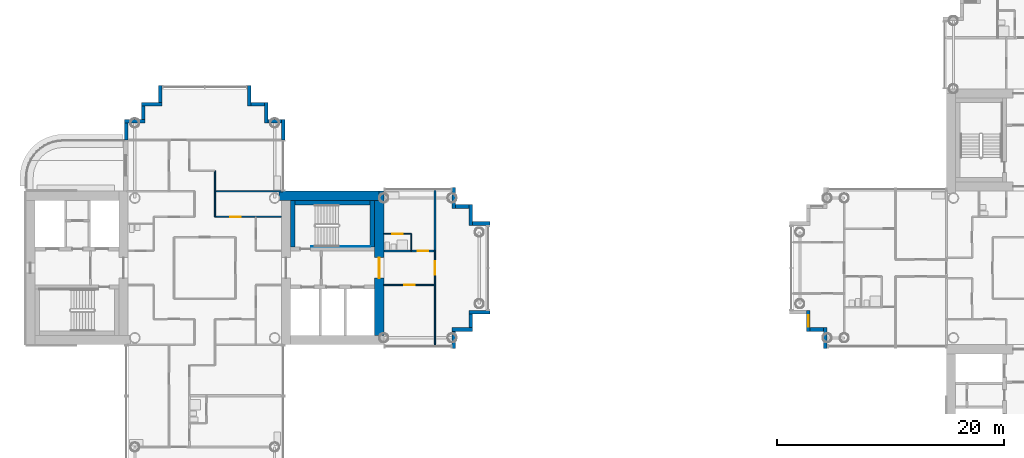
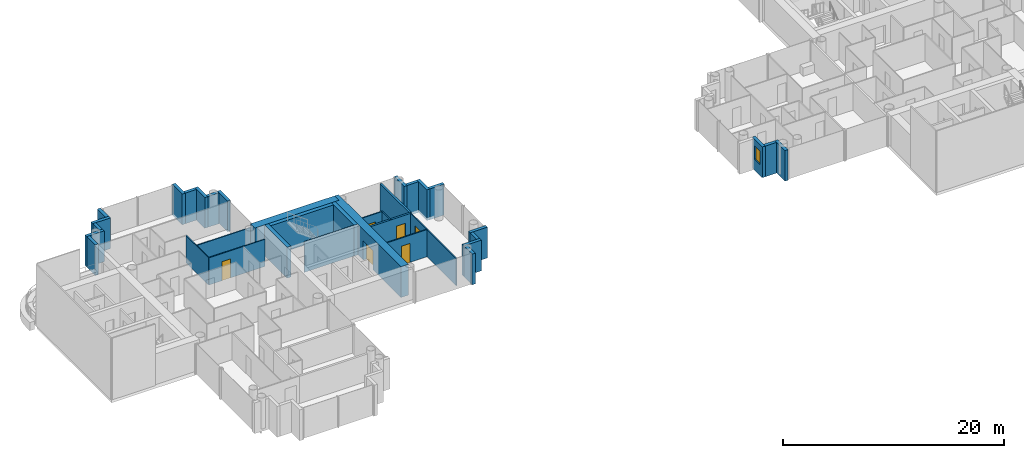
# One storey, part 9 of 20: 36 walls, 6 doors, 1 window, 7 openings.
"""IFC4 building model written with IfcOpenShell, lengths in metres."""

from ifc_helpers import new_model, si_unit, direction, frame, frame_2d, origin, place, context, subcontext, project, spatial, rectangle, extrude, material, layer, layer_set, type_object, element, fill, save


model = new_model("IFC4")

# Units and contexts
model_context = context("Model", 3, precision=1e-05, world=origin(), true_north=direction((0.0, 1.0)))
body_context = subcontext(model_context, "Body", "Model", "MODEL_VIEW")
ifc_project = project(units=[si_unit("LENGTHUNIT", "METRE"), si_unit("AREAUNIT", "SQUARE_METRE"), si_unit("VOLUMEUNIT", "CUBIC_METRE"), si_unit("PLANEANGLEUNIT", "RADIAN"), si_unit("MASSUNIT", "GRAM", prefix="KILO")], contexts=[model_context])

# Site, building, storey
site_placement = place(None, origin())
site = spatial("IfcSite", under=ifc_project, at=site_placement, CompositionType="ELEMENT")
building_placement = place(site_placement, origin())
building = spatial("IfcBuilding", under=site, at=building_placement, Name="Ipe Terrace Towers", CompositionType="ELEMENT")
storey_placement = place(building_placement, frame((0.0, 0.0, 154.10009765625)))
storey = spatial("IfcBuildingStorey", under=building, at=storey_placement, Name="L42", CompositionType="ELEMENT", Elevation=154.10009765625)

# Walls
ifc_material_1 = material(Name="Concrete C40/50 with buff precast cladding", Category="concrete")
ifc_layer_1 = layer(ifc_material_1, 0.320068359375)
ifc_layer_set_1 = layer_set([ifc_layer_1], Name="BUFF CLADDING WALL 320")
wall_type_1 = type_object("IfcWallType", Name="BUFF CLADDING WALL 320", PredefinedType="STANDARD", material=ifc_layer_set_1)
wall_1_placement = place(storey_placement, frame((-14.090087890625, -7.070068359375, -0.300048828125), z_axis=(0.0, 0.0, 1.0), x_axis=(0.0, 1.0, 0.0)))
element("IfcWall", 1, at=wall_1_placement, inside=storey, type_object=wall_type_1, Name="T1-W-L42-17a wall", PredefinedType="STANDARD", context=body_context, shape_type="SweptSolid", body=[
    extrude(rectangle(XDim=1.5, YDim=0.320068359375, at=frame_2d((0.75, 0.0))), origin(), (0.0, 0.0, 1.0), 3.39990234375),
])
wall_2_placement = place(storey_placement, frame((-14.25, -5.409912109375, -0.300048828125), z_axis=(0.0, 0.0, 1.0), x_axis=(1.0, 0.0, 0.0)))
element("IfcWall", 2, at=wall_2_placement, inside=storey, type_object=wall_type_1, Name="T1-W-L42-18a wall", PredefinedType="STANDARD", context=body_context, shape_type="SweptSolid", body=[
    extrude(rectangle(XDim=1.820068359375, YDim=0.320068359375, at=frame_2d((0.91015625, 0.0))), origin(), (0.0, 0.0, 1.0), 3.39990234375),
])
wall_3_placement = place(storey_placement, frame((-12.590087890625, -5.25, -0.300048828125), z_axis=(0.0, 0.0, 1.0), x_axis=(0.0, 1.0, 0.0)))
element("IfcWall", 3, at=wall_3_placement, inside=storey, type_object=wall_type_1, Name="T1-W-L42-19a wall", PredefinedType="STANDARD", context=body_context, shape_type="SweptSolid", body=[
    extrude(rectangle(XDim=1.179931640625, YDim=0.320068359375, at=frame_2d((0.58984375, 0.0))), origin(), (0.0, 0.0, 1.0), 3.39990234375),
])
wall_4_placement = place(storey_placement, frame((-12.75, -3.909912109375, -0.300048828125), z_axis=(0.0, 0.0, 1.0), x_axis=(1.0, 0.0, 0.0)))
element("IfcWall", 4, at=wall_4_placement, inside=storey, type_object=wall_type_1, Name="T1-W-L42-20a wall", PredefinedType="STANDARD", context=body_context, shape_type="SweptSolid", body=[
    extrude(rectangle(XDim=1.820068359375, YDim=0.320068359375, at=frame_2d((0.91015625, 0.0))), origin(), (0.0, 0.0, 1.0), 3.39990234375),
])
wall_5_placement = place(storey_placement, frame((-10.929931640625, 3.909912109375, -0.300048828125), z_axis=(0.0, 0.0, 1.0), x_axis=(-1.0, 0.0, 0.0)))
element("IfcWall", 5, at=wall_5_placement, inside=storey, type_object=wall_type_1, Name="T1-W-L42-22a wall", PredefinedType="STANDARD", context=body_context, shape_type="SweptSolid", body=[
    extrude(rectangle(XDim=1.5, YDim=0.320068359375, at=frame_2d((0.75, 0.0))), origin(), (0.0, 0.0, 1.0), 3.39990234375),
])
wall_6_placement = place(storey_placement, frame((-12.590087890625, 3.75, -0.300048828125), z_axis=(0.0, 0.0, 1.0), x_axis=(0.0, 1.0, 0.0)))
element("IfcWall", 6, at=wall_6_placement, inside=storey, type_object=wall_type_1, Name="T1-W-L42-23a wall", PredefinedType="STANDARD", context=body_context, shape_type="SweptSolid", body=[
    extrude(rectangle(XDim=1.820068359375, YDim=0.320068359375, at=frame_2d((0.91015625, 0.0))), origin(), (0.0, 0.0, 1.0), 3.39990234375),
])
wall_7_placement = place(storey_placement, frame((-12.75, 5.409912109375, -0.300048828125), z_axis=(0.0, 0.0, 1.0), x_axis=(-1.0, 0.0, 0.0)))
element("IfcWall", 7, at=wall_7_placement, inside=storey, type_object=wall_type_1, Name="T1-W-L42-24a wall", PredefinedType="STANDARD", context=body_context, shape_type="SweptSolid", body=[
    extrude(rectangle(XDim=1.179931640625, YDim=0.320068359375, at=frame_2d((0.58984375, 0.0))), origin(), (0.0, 0.0, 1.0), 3.39990234375),
])
for number, where, z_axis, x_axis, name in (
    (8, (-14.090087890625, 5.25, -0.300048828125), (0.0, 0.0, 1.0), (0.0, 1.0, 0.0), "T1-W-L42-25a wall"),
    (9, (-29.090087890625, 11.25, -0.300048828125), (0.0, 0.0, 1.0), (0.0, 1.0, 0.0), "T1-W-L42-29a wall"),
):
    element("IfcWall", number, at=place(storey_placement, frame(where, z_axis=z_axis, x_axis=x_axis)), inside=storey, type_object=wall_type_1, Name=name, PredefinedType="STANDARD", context=body_context, shape_type="SweptSolid", body=[
        extrude(rectangle(XDim=1.820068359375, YDim=0.320068359375, at=frame_2d((0.91015625, 0.0))), origin(), (0.0, 0.0, 1.0), 3.39990234375),
    ])
wall_8_placement = place(storey_placement, frame((-29.25, 12.909912109375, -0.300048828125), z_axis=(0.0, 0.0, 1.0), x_axis=(-1.0, 0.0, 0.0)))
element("IfcWall", 10, at=wall_8_placement, inside=storey, type_object=wall_type_1, Name="T1-W-L42-30a wall", PredefinedType="STANDARD", context=body_context, shape_type="SweptSolid", body=[
    extrude(rectangle(XDim=1.179931640625, YDim=0.320068359375, at=frame_2d((0.58984375, 0.0))), origin(), (0.0, 0.0, 1.0), 3.39990234375),
])
wall_9_placement = place(storey_placement, frame((-30.590087890625, 12.75, -0.300048828125), z_axis=(0.0, 0.0, 1.0), x_axis=(0.0, 1.0, 0.0)))
element("IfcWall", 11, at=wall_9_placement, inside=storey, type_object=wall_type_1, Name="T1-W-L42-31a wall", PredefinedType="STANDARD", context=body_context, shape_type="SweptSolid", body=[
    extrude(rectangle(XDim=1.820068359375, YDim=0.320068359375, at=frame_2d((0.91015625, 0.0))), origin(), (0.0, 0.0, 1.0), 3.39990234375),
])
wall_10_placement = place(storey_placement, frame((-30.75, 14.409912109375, -0.300048828125), z_axis=(0.0, 0.0, 1.0), x_axis=(-1.0, 0.0, 0.0)))
element("IfcWall", 12, at=wall_10_placement, inside=storey, type_object=wall_type_1, Name="T1-W-L42-32a wall", PredefinedType="STANDARD", context=body_context, shape_type="SweptSolid", body=[
    extrude(rectangle(XDim=1.179931640625, YDim=0.320068359375, at=frame_2d((0.58984375, 0.0))), origin(), (0.0, 0.0, 1.0), 3.39990234375),
])
wall_11_placement = place(storey_placement, frame((-32.090087890625, 14.25, -0.300048828125), z_axis=(0.0, 0.0, 1.0), x_axis=(0.0, 1.0, 0.0)))
element("IfcWall", 13, at=wall_11_placement, inside=storey, type_object=wall_type_1, Name="T1-W-L42-33a wall", PredefinedType="STANDARD", context=body_context, shape_type="SweptSolid", body=[
    extrude(rectangle(XDim=1.820068359375, YDim=0.320068359375, at=frame_2d((0.91015625, 0.0))), origin(), (0.0, 0.0, 1.0), 3.39990234375),
])
wall_12_placement = place(storey_placement, frame((-39.909912109375, 16.070068359375, -0.300048828125), z_axis=(0.0, 0.0, 1.0), x_axis=(0.0, -1.0, 0.0)))
element("IfcWall", 14, at=wall_12_placement, inside=storey, type_object=wall_type_1, Name="T1-W-L42-35a wall", PredefinedType="STANDARD", context=body_context, shape_type="SweptSolid", body=[
    extrude(rectangle(XDim=1.5, YDim=0.320068359375, at=frame_2d((0.75, 0.0))), origin(), (0.0, 0.0, 1.0), 3.39990234375),
])
wall_13_placement = place(storey_placement, frame((-39.75, 14.409912109375, -0.300048828125), z_axis=(0.0, 0.0, 1.0), x_axis=(-1.0, 0.0, 0.0)))
element("IfcWall", 15, at=wall_13_placement, inside=storey, type_object=wall_type_1, Name="T1-W-L42-36a wall", PredefinedType="STANDARD", context=body_context, shape_type="SweptSolid", body=[
    extrude(rectangle(XDim=1.820068359375, YDim=0.320068359375, at=frame_2d((0.91015625, 0.0))), origin(), (0.0, 0.0, 1.0), 3.39990234375),
])
wall_14_placement = place(storey_placement, frame((-41.409912109375, 14.25, -0.300048828125), z_axis=(0.0, 0.0, 1.0), x_axis=(0.0, -1.0, 0.0)))
element("IfcWall", 16, at=wall_14_placement, inside=storey, type_object=wall_type_1, Name="T1-W-L42-37a wall", PredefinedType="STANDARD", context=body_context, shape_type="SweptSolid", body=[
    extrude(rectangle(XDim=1.179931640625, YDim=0.320068359375, at=frame_2d((0.58984375, 0.0))), origin(), (0.0, 0.0, 1.0), 3.39990234375),
])
wall_15_placement = place(storey_placement, frame((-41.25, 12.909912109375, -0.300048828125), z_axis=(0.0, 0.0, 1.0), x_axis=(-1.0, 0.0, 0.0)))
element("IfcWall", 17, at=wall_15_placement, inside=storey, type_object=wall_type_1, Name="T1-W-L42-38a wall", PredefinedType="STANDARD", context=body_context, shape_type="SweptSolid", body=[
    extrude(rectangle(XDim=1.820068359375, YDim=0.320068359375, at=frame_2d((0.91015625, 0.0))), origin(), (0.0, 0.0, 1.0), 3.39990234375),
])
wall_16_placement = place(storey_placement, frame((-42.909912109375, 12.75, -0.300048828125), z_axis=(0.0, 0.0, 1.0), x_axis=(0.0, -1.0, 0.0)))
element("IfcWall", 18, at=wall_16_placement, inside=storey, type_object=wall_type_1, Name="T1-W-L42-39a wall", PredefinedType="STANDARD", context=body_context, shape_type="SweptSolid", body=[
    extrude(rectangle(XDim=1.5, YDim=0.320068359375, at=frame_2d((0.75, 0.0))), origin(), (0.0, 0.0, 1.0), 3.39990234375),
])

# Wall, opening, window
wall_17_placement = place(storey_placement, frame((17.090087890625, -3.75, -0.300048828125), z_axis=(0.0, 0.0, 1.0), x_axis=(0.0, -1.0, 0.0)))
wall_17 = element("IfcWall", 19, at=wall_17_placement, inside=storey, type_object=wall_type_1, Name="T2-W-L42-36a wall", PredefinedType="STANDARD", context=body_context, shape_type="SweptSolid", body=[
    extrude(rectangle(XDim=1.820068359375, YDim=0.320068359375, at=frame_2d((0.91015625, 0.0))), origin(), (0.0, 0.0, 1.0), 3.39990234375),
])
opening_1_placement = place(wall_17_placement, frame((0.409912109375, 0.0, 1.199951171875)))
opening_1 = element("IfcOpeningElement", 20, at=opening_1_placement, cuts=wall_17, Name="Opening T2-W-05-L42-01", PredefinedType="OPENING", context=body_context, shape_type="SweptSolid", body=[
    extrude(rectangle(XDim=1.0, YDim=1.5, at=frame_2d((0.5, 0.75))), frame((0.0, 0.169921875, 0.0), z_axis=(0.0, -1.0, 0.0), x_axis=(1.0, 0.0, 0.0)), (0.0, 0.0, 1.0), 0.340087890625),
])
ifc_material_2 = material(Name="Glass, clear laminated", Category="glass")
window_type = type_object("IfcWindowType", Name="DWELLING WINDOW 1000 x 1500", PartitioningType="SINGLE_PANEL", PredefinedType="WINDOW", material=ifc_material_2)
window_placement = place(opening_1_placement, origin())
window = element("IfcWindow", 21, at=window_placement, inside=storey, type_object=window_type, Name="W-05 window", OverallHeight=1.5, OverallWidth=1.0, PartitioningType="SINGLE_PANEL", PredefinedType="WINDOW", context=body_context, shape_type="SweptSolid", body=[
    extrude(rectangle(XDim=1.0, YDim=1.5, at=frame_2d((0.5, 0.75))), frame((0.0, 0.030029296875, 0.0), z_axis=(0.0, -1.0, 0.0), x_axis=(1.0, 0.0, 0.0)), (0.0, 0.0, 1.0), 0.06005859375),
])
fill(opening_1, window)

# Walls
wall_18_placement = place(storey_placement, frame((17.25, -5.409912109375, -0.300048828125), z_axis=(0.0, 0.0, 1.0), x_axis=(1.0, 0.0, 0.0)))
element("IfcWall", 22, at=wall_18_placement, inside=storey, type_object=wall_type_1, Name="T2-W-L42-37a wall", PredefinedType="STANDARD", context=body_context, shape_type="SweptSolid", body=[
    extrude(rectangle(XDim=1.179931640625, YDim=0.320068359375, at=frame_2d((0.58984375, 0.0))), origin(), (0.0, 0.0, 1.0), 3.39990234375),
])
wall_19_placement = place(storey_placement, frame((18.590087890625, -5.25, -0.300048828125), z_axis=(0.0, 0.0, 1.0), x_axis=(0.0, -1.0, 0.0)))
element("IfcWall", 23, at=wall_19_placement, inside=storey, type_object=wall_type_1, Name="T2-W-L42-38a wall", PredefinedType="STANDARD", context=body_context, shape_type="SweptSolid", body=[
    extrude(rectangle(XDim=1.820068359375, YDim=0.320068359375, at=frame_2d((0.91015625, 0.0))), origin(), (0.0, 0.0, 1.0), 3.39990234375),
])
ifc_material_3 = material(Name="Gypsum board partition", Category="plasterboard")
ifc_layer_2 = layer(ifc_material_3, 0.10009765625)
ifc_layer_set_2 = layer_set([ifc_layer_2], Name="Gypsum board partition 100 mm")
wall_type_2 = type_object("IfcWallType", Name="Gypsum board partition 100 mm", PredefinedType="PARTITIONING", material=ifc_layer_set_2)
wall_20_placement = place(storey_placement, frame((-35.10009765625, 4.5, 0.0), z_axis=(0.0, 0.0, 1.0), x_axis=(0.0, 1.0, 0.0)))
element("IfcWall", 24, at=wall_20_placement, inside=storey, type_object=wall_type_2, Name="Gypsum board partition T1 L42 W13", PredefinedType="PARTITIONING", context=body_context, shape_type="SweptSolid", body=[
    extrude(rectangle(XDim=4.050048828125, YDim=0.10009765625, at=frame_2d((2.02490234375, 0.0))), origin(), (0.0, 0.0, 1.0), 3.0),
])
wall_21_placement = place(storey_placement, frame((-17.85009765625, 1.5, 0.0), z_axis=(0.0, 0.0, 1.0), x_axis=(0.0, 1.0, 0.0)))
element("IfcWall", 25, at=wall_21_placement, inside=storey, type_object=wall_type_2, Name="Gypsum board partition T1 L42 W17", PredefinedType="PARTITIONING", context=body_context, shape_type="SweptSolid", body=[
    extrude(rectangle(XDim=1.5, YDim=0.10009765625, at=frame_2d((0.75, 0.0))), origin(), (0.0, 0.0, 1.0), 3.0),
])

# Wall, opening, door
wall_22_placement = place(storey_placement, frame((-15.75, -6.85009765625, 0.0), z_axis=(0.0, 0.0, 1.0), x_axis=(0.0, 1.0, 0.0)))
wall_22 = element("IfcWall", 26, at=wall_22_placement, inside=storey, type_object=wall_type_2, Name="Gypsum board partition T1 L42 W18", PredefinedType="PARTITIONING", context=body_context, shape_type="SweptSolid", body=[
    extrude(rectangle(XDim=8.35009765625, YDim=0.10009765625, at=frame_2d((4.175048828125, 0.0))), origin(), (0.0, 0.0, 1.0), 3.0),
])
opening_2_placement = place(wall_22_placement, frame((6.25, 0.0, 0.0)))
opening_2 = element("IfcOpeningElement", 27, at=opening_2_placement, cuts=wall_22, Name="Opening T1-Z3C-21", PredefinedType="OPENING", context=body_context, shape_type="SweptSolid", body=[
    extrude(rectangle(XDim=1.199951171875, YDim=2.10009765625, at=frame_2d((0.60009765625, 1.050048828125))), frame((0.0, 0.06005859375, 0.0), z_axis=(0.0, -1.0, 0.0), x_axis=(1.0, 0.0, 0.0)), (0.0, 0.0, 1.0), 0.1201171875),
])
ifc_material_4 = material(Name="Timber door leaf", Category="wood")
door_type_1 = type_object("IfcDoorType", Name="Lounge door 1200 x 2100", OperationType="NOTDEFINED", PredefinedType="DOOR", material=ifc_material_4)
door_1_placement = place(opening_2_placement, origin())
door_1 = element("IfcDoor", 28, at=door_1_placement, inside=storey, type_object=door_type_1, Name="Lounge door T1-Z3C-21", OperationType="SINGLE_SWING_RIGHT", OverallHeight=2.10009765625, OverallWidth=1.199951171875, PredefinedType="DOOR", context=body_context, shape_type="SweptSolid", body=[
    extrude(rectangle(XDim=1.199951171875, YDim=2.10009765625, at=frame_2d((0.60009765625, 1.050048828125))), frame((0.0, 0.02490234375, 0.0), z_axis=(0.0, -1.0, 0.0), x_axis=(1.0, 0.0, 0.0)), (0.0, 0.0, 1.0), 0.050048828125),
])
fill(opening_2, door_1)

wall_23_placement = place(storey_placement, frame((-20.25, -1.5, 0.0), z_axis=(0.0, 0.0, 1.0), x_axis=(1.0, 0.0, 0.0)))
wall_23 = element("IfcWall", 29, at=wall_23_placement, inside=storey, type_object=wall_type_2, Name="Gypsum board partition T1 L42 W32", PredefinedType="PARTITIONING", context=body_context, shape_type="SweptSolid", body=[
    extrude(rectangle(XDim=4.5, YDim=0.10009765625, at=frame_2d((2.25, 0.0))), origin(), (0.0, 0.0, 1.0), 3.0),
])
opening_3_placement = place(wall_23_placement, frame((1.800048828125, 0.0, 0.0)))
opening_3 = element("IfcOpeningElement", 30, at=opening_3_placement, cuts=wall_23, Name="Opening T1-Z3C-20", PredefinedType="OPENING", context=body_context, shape_type="SweptSolid", body=[
    extrude(rectangle(XDim=0.89990234375, YDim=2.10009765625, at=frame_2d((0.449951171875, 1.050048828125))), frame((0.0, 0.06005859375, 0.0), z_axis=(0.0, -1.0, 0.0), x_axis=(1.0, 0.0, 0.0)), (0.0, 0.0, 1.0), 0.1201171875),
])
ifc_material_5 = material(Name="Timber door leaf", Category="wood")
door_type_2 = type_object("IfcDoorType", Name="Lounge door 900 x 2100", OperationType="NOTDEFINED", PredefinedType="DOOR", material=ifc_material_5)
door_2_placement = place(opening_3_placement, origin())
door_2 = element("IfcDoor", 31, at=door_2_placement, inside=storey, type_object=door_type_2, Name="Lounge door T1-Z3C-20", OperationType="SINGLE_SWING_RIGHT", OverallHeight=2.10009765625, OverallWidth=0.89990234375, PredefinedType="DOOR", context=body_context, shape_type="SweptSolid", body=[
    extrude(rectangle(XDim=0.89990234375, YDim=2.10009765625, at=frame_2d((0.449951171875, 1.050048828125))), frame((0.0, 0.02490234375, 0.0), z_axis=(0.0, -1.0, 0.0), x_axis=(1.0, 0.0, 0.0)), (0.0, 0.0, 1.0), 0.050048828125),
])
fill(opening_3, door_2)

wall_24_placement = place(storey_placement, frame((-20.25, 3.0, 0.0), z_axis=(0.0, 0.0, 1.0), x_axis=(1.0, 0.0, 0.0)))
wall_24 = element("IfcWall", 32, at=wall_24_placement, inside=storey, type_object=wall_type_2, Name="Gypsum board partition T1 L42 W37", PredefinedType="PARTITIONING", context=body_context, shape_type="SweptSolid", body=[
    extrude(rectangle(XDim=2.39990234375, YDim=0.10009765625, at=frame_2d((1.199951171875, 0.0))), origin(), (0.0, 0.0, 1.0), 3.0),
])
opening_4_placement = place(wall_24_placement, frame((0.75, 0.0, 0.0)))
opening_4 = element("IfcOpeningElement", 33, at=opening_4_placement, cuts=wall_24, Name="Opening T1-Z3C-19", PredefinedType="OPENING", context=body_context, shape_type="SweptSolid", body=[
    extrude(rectangle(XDim=0.89990234375, YDim=2.10009765625, at=frame_2d((0.449951171875, 1.050048828125))), frame((0.0, 0.06005859375, 0.0), z_axis=(0.0, -1.0, 0.0), x_axis=(1.0, 0.0, 0.0)), (0.0, 0.0, 1.0), 0.1201171875),
])
ifc_material_6 = material(Name="Timber door leaf", Category="wood")
door_type_3 = type_object("IfcDoorType", Name="Bathroom door 900 x 2100", OperationType="NOTDEFINED", PredefinedType="DOOR", material=ifc_material_6)
door_3_placement = place(opening_4_placement, origin())
door_3 = element("IfcDoor", 34, at=door_3_placement, inside=storey, type_object=door_type_3, Name="Bathroom door T1-Z3C-19", OperationType="SINGLE_SWING_RIGHT", OverallHeight=2.10009765625, OverallWidth=0.89990234375, PredefinedType="DOOR", context=body_context, shape_type="SweptSolid", body=[
    extrude(rectangle(XDim=0.89990234375, YDim=2.10009765625, at=frame_2d((0.449951171875, 1.050048828125))), frame((0.0, 0.02490234375, 0.0), z_axis=(0.0, -1.0, 0.0), x_axis=(1.0, 0.0, 0.0)), (0.0, 0.0, 1.0), 0.050048828125),
])
fill(opening_4, door_3)

wall_25_placement = place(storey_placement, frame((-35.10009765625, 4.5, 0.0), z_axis=(0.0, 0.0, 1.0), x_axis=(1.0, 0.0, 0.0)))
wall_25 = element("IfcWall", 35, at=wall_25_placement, inside=storey, type_object=wall_type_2, Name="Gypsum board partition T1 L42 W40", PredefinedType="PARTITIONING", context=body_context, shape_type="SweptSolid", body=[
    extrude(rectangle(XDim=5.85009765625, YDim=0.10009765625, at=frame_2d((2.925048828125, 0.0))), origin(), (0.0, 0.0, 1.0), 3.0),
])
opening_5_placement = place(wall_25_placement, frame((1.35009765625, 0.0, 0.0)))
opening_5 = element("IfcOpeningElement", 36, at=opening_5_placement, cuts=wall_25, Name="Opening T1-Z3C-04", PredefinedType="OPENING", context=body_context, shape_type="SweptSolid", body=[
    extrude(rectangle(XDim=0.89990234375, YDim=2.10009765625, at=frame_2d((0.449951171875, 1.050048828125))), frame((0.0, 0.06005859375, 0.0), z_axis=(0.0, -1.0, 0.0), x_axis=(1.0, 0.0, 0.0)), (0.0, 0.0, 1.0), 0.1201171875),
])
door_4_placement = place(opening_5_placement, origin())
door_4 = element("IfcDoor", 37, at=door_4_placement, inside=storey, type_object=door_type_2, Name="Lounge door T1-Z3C-04", OperationType="SINGLE_SWING_RIGHT", OverallHeight=2.10009765625, OverallWidth=0.89990234375, PredefinedType="DOOR", context=body_context, shape_type="SweptSolid", body=[
    extrude(rectangle(XDim=0.89990234375, YDim=2.10009765625, at=frame_2d((0.449951171875, 1.050048828125))), frame((0.0, 0.02490234375, 0.0), z_axis=(0.0, -1.0, 0.0), x_axis=(1.0, 0.0, 0.0)), (0.0, 0.0, 1.0), 0.050048828125),
])
fill(opening_5, door_4)

# Walls
wall_26_placement = place(storey_placement, frame((-35.10009765625, 6.75, 0.0), z_axis=(0.0, 0.0, 1.0), x_axis=(1.0, 0.0, 0.0)))
element("IfcWall", 38, at=wall_26_placement, inside=storey, type_object=wall_type_2, Name="Gypsum board partition T1 L42 W42", PredefinedType="PARTITIONING", context=body_context, shape_type="SweptSolid", body=[
    extrude(rectangle(XDim=5.9501953125, YDim=0.10009765625, at=frame_2d((2.97509765625, 0.0))), origin(), (0.0, 0.0, 1.0), 3.0),
])
ifc_material_7 = material(Name="Gypsum board party wall", Category="plasterboard")
ifc_layer_3 = layer(ifc_material_7, 0.199951171875)
ifc_layer_set_3 = layer_set([ifc_layer_3], Name="Gypsum board party wall 200 mm")
wall_type_3 = type_object("IfcWallType", Name="Gypsum board party wall 200 mm", PredefinedType="SOLIDWALL", material=ifc_layer_set_3)
wall_27_placement = place(storey_placement, frame((-15.75, 1.5, 0.0), z_axis=(0.0, 0.0, 1.0), x_axis=(0.0, 1.0, 0.0)))
element("IfcWall", 39, at=wall_27_placement, inside=storey, type_object=wall_type_3, Name="Gypsum board party wall T1 L42 W19", PredefinedType="SOLIDWALL", context=body_context, shape_type="SweptSolid", body=[
    extrude(rectangle(XDim=5.35009765625, YDim=0.199951171875, at=frame_2d((2.675048828125, 0.0))), origin(), (0.0, 0.0, 1.0), 3.0),
])

# Wall, opening, door
wall_28_placement = place(storey_placement, frame((-20.25, 1.5, 0.0), z_axis=(0.0, 0.0, 1.0), x_axis=(1.0, 0.0, 0.0)))
wall_28 = element("IfcWall", 40, at=wall_28_placement, inside=storey, type_object=wall_type_3, Name="Gypsum board party wall T1 L42 W35", PredefinedType="SOLIDWALL", context=body_context, shape_type="SweptSolid", body=[
    extrude(rectangle(XDim=4.5, YDim=0.199951171875, at=frame_2d((2.25, 0.0))), origin(), (0.0, 0.0, 1.0), 3.0),
])
opening_6_placement = place(wall_28_placement, frame((3.0, 0.0, 0.0)))
opening_6 = element("IfcOpeningElement", 41, at=opening_6_placement, cuts=wall_28, Name="Opening T1-Z3C-18", PredefinedType="OPENING", context=body_context, shape_type="SweptSolid", body=[
    extrude(rectangle(XDim=0.89990234375, YDim=2.10009765625, at=frame_2d((0.449951171875, 1.050048828125))), frame((0.0, 0.10986328125, 0.0), z_axis=(0.0, -1.0, 0.0), x_axis=(1.0, 0.0, 0.0)), (0.0, 0.0, 1.0), 0.219970703125),
])
ifc_material_8 = material(Name="Fire-rated timber door leaf", Category="wood")
door_type_4 = type_object("IfcDoorType", Name="Flat entrance door 900 x 2100 FD30S", OperationType="NOTDEFINED", PredefinedType="DOOR", material=ifc_material_8)
door_5_placement = place(opening_6_placement, origin())
door_5 = element("IfcDoor", 42, at=door_5_placement, inside=storey, type_object=door_type_4, Name="Flat entrance door T1-Z3C-18", OperationType="SINGLE_SWING_LEFT", OverallHeight=2.10009765625, OverallWidth=0.89990234375, PredefinedType="DOOR", context=body_context, shape_type="SweptSolid", body=[
    extrude(rectangle(XDim=0.89990234375, YDim=2.10009765625, at=frame_2d((0.449951171875, 1.050048828125))), frame((0.0, 0.02490234375, 0.0), z_axis=(0.0, -1.0, 0.0), x_axis=(1.0, 0.0, 0.0)), (0.0, 0.0, 1.0), 0.050048828125),
])
fill(opening_6, door_5)

# Walls
ifc_material_9 = material(Name="Concrete C50/60", Category="concrete")
ifc_layer_4 = layer(ifc_material_9, 0.39990234375)
ifc_layer_set_4 = layer_set([ifc_layer_4], Name="RW400 CORE INFILL WALL 400 C50-60")
wall_type_4 = type_object("IfcWallType", Name="RW400 CORE INFILL WALL 400 C50-60", PredefinedType="SHEAR", material=ifc_layer_set_4)
wall_29_placement = place(storey_placement, frame((-21.25, 1.85009765625, 0.0), z_axis=(0.0, 0.0, 1.0), x_axis=(0.0, 1.0, 0.0)))
element("IfcWall", 43, at=wall_29_placement, inside=storey, type_object=wall_type_4, Name="Core infill wall T1-C1-far", PredefinedType="SHEAR", context=body_context, shape_type="SweptSolid", body=[
    extrude(rectangle(XDim=4.099853515625, YDim=0.39990234375, at=frame_2d((2.0498046875, 0.0))), origin(), (0.0, 0.0, 1.0), 3.39990234375),
])
wall_30_placement = place(storey_placement, frame((-28.050048828125, 5.75, 0.0), z_axis=(0.0, 0.0, 1.0), x_axis=(1.0, 0.0, 0.0)))
element("IfcWall", 44, at=wall_30_placement, inside=storey, type_object=wall_type_4, Name="Core infill wall T1-C1-back", PredefinedType="SHEAR", context=body_context, shape_type="SweptSolid", body=[
    extrude(rectangle(XDim=6.60009765625, YDim=0.39990234375, at=frame_2d((3.300048828125, 0.0))), origin(), (0.0, 0.0, 1.0), 3.39990234375),
])
wall_31_placement = place(storey_placement, frame((-28.25, 1.85009765625, 0.0), z_axis=(0.0, 0.0, 1.0), x_axis=(0.0, 1.0, 0.0)))
element("IfcWall", 45, at=wall_31_placement, inside=storey, type_object=wall_type_4, Name="Core infill wall T1-C1-near", PredefinedType="SHEAR", context=body_context, shape_type="SweptSolid", body=[
    extrude(rectangle(XDim=4.099853515625, YDim=0.39990234375, at=frame_2d((2.0498046875, 0.0))), origin(), (0.0, 0.0, 1.0), 3.39990234375),
])
ifc_material_10 = material(Name="Concrete C50/60", Category="concrete")
ifc_layer_5 = layer(ifc_material_10, 0.050048828125)
ifc_layer_set_5 = layer_set([ifc_layer_5], Name="RW50 CORE INFILL WALL 50 C50-60")
wall_type_5 = type_object("IfcWallType", Name="RW50 CORE INFILL WALL 50 C50-60", PredefinedType="SHEAR", material=ifc_layer_set_5)
wall_32_placement = place(storey_placement, frame((-26.64990234375, 1.875, 0.0), z_axis=(0.0, 0.0, 1.0), x_axis=(1.0, 0.0, 0.0)))
element("IfcWall", 46, at=wall_32_placement, inside=storey, type_object=wall_type_5, Name="Core infill wall T1-C1-spine-b", PredefinedType="SHEAR", context=body_context, shape_type="SweptSolid", body=[
    extrude(rectangle(XDim=5.199951171875, YDim=0.050048828125, at=frame_2d((2.60009765625, 0.0))), origin(), (0.0, 0.0, 1.0), 3.39990234375),
])

# Wall, opening, door
ifc_material_11 = material(Name="Concrete C50/60", Category="concrete")
ifc_layer_6 = layer(ifc_material_11, 0.800048828125)
ifc_layer_set_6 = layer_set([ifc_layer_6], Name="RW800 CORE WALL 800 C50-60")
wall_type_6 = type_object("IfcWallType", Name="RW800 CORE WALL 800 C50-60", PredefinedType="SHEAR", material=ifc_layer_set_6)
wall_33_placement = place(storey_placement, frame((-20.64990234375, -5.949951171875, 0.0), z_axis=(0.0, 0.0, 1.0), x_axis=(0.0, 1.0, 0.0)))
wall_33 = element("IfcWall", 47, at=wall_33_placement, inside=storey, type_object=wall_type_6, Name="Core wall T1-C1-Z3-W02", PredefinedType="SHEAR", context=body_context, shape_type="SweptSolid", body=[
    extrude(rectangle(XDim=12.699951171875, YDim=0.800048828125, at=frame_2d((6.35009765625, 0.0))), origin(), (0.0, 0.0, 1.0), 3.39990234375),
])
opening_7_placement = place(wall_33_placement, frame((5.050048828125, 0.0, 0.0)))
opening_7 = element("IfcOpeningElement", 48, at=opening_7_placement, cuts=wall_33, Name="Opening T1C1-FD", PredefinedType="OPENING", context=body_context, shape_type="SweptSolid", body=[
    extrude(rectangle(XDim=1.800048828125, YDim=2.10009765625, at=frame_2d((0.89990234375, 1.050048828125))), frame((0.0, 0.41015625, 0.0), z_axis=(0.0, -1.0, 0.0), x_axis=(1.0, 0.0, 0.0)), (0.0, 0.0, 1.0), 0.820068359375),
])
ifc_material_12 = material(Name="Fire-rated timber door leaf", Category="wood")
door_type_5 = type_object("IfcDoorType", Name="Fire door 1800 x 2100 FD30S", OperationType="NOTDEFINED", PredefinedType="DOOR", material=ifc_material_12)
door_6_placement = place(opening_7_placement, origin())
door_6 = element("IfcDoor", 49, at=door_6_placement, inside=storey, type_object=door_type_5, Name="Fire door T1C1-FD", OperationType="SINGLE_SWING_LEFT", OverallHeight=2.10009765625, OverallWidth=1.800048828125, PredefinedType="DOOR", context=body_context, shape_type="SweptSolid", body=[
    extrude(rectangle(XDim=1.800048828125, YDim=2.10009765625, at=frame_2d((0.89990234375, 1.050048828125))), frame((0.0, 0.02490234375, 0.0), z_axis=(0.0, -1.0, 0.0), x_axis=(1.0, 0.0, 0.0)), (0.0, 0.0, 1.0), 0.050048828125),
])
fill(opening_7, door_6)

# Wall
wall_34_placement = place(storey_placement, frame((-20.652099609375, 6.35009765625, 0.0), z_axis=(0.0, 0.0, 1.0), x_axis=(-1.0, 0.0, 0.0)))
element("IfcWall", 50, at=wall_34_placement, inside=storey, type_object=wall_type_6, Name="Core wall T1-C1-Z3-W03", PredefinedType="SHEAR", context=body_context, shape_type="SweptSolid", body=[
    extrude(rectangle(XDim=8.7958984375, YDim=0.800048828125, at=frame_2d((4.39794921875, 0.0))), origin(), (0.0, 0.0, 1.0), 3.39990234375),
])

save(model, "model.ifc")
